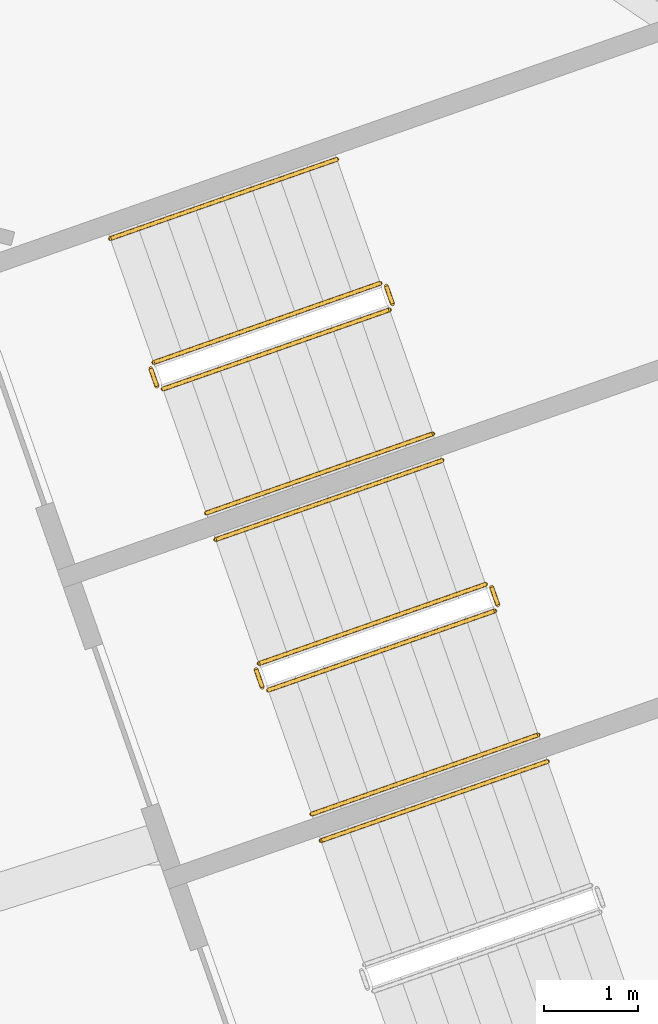
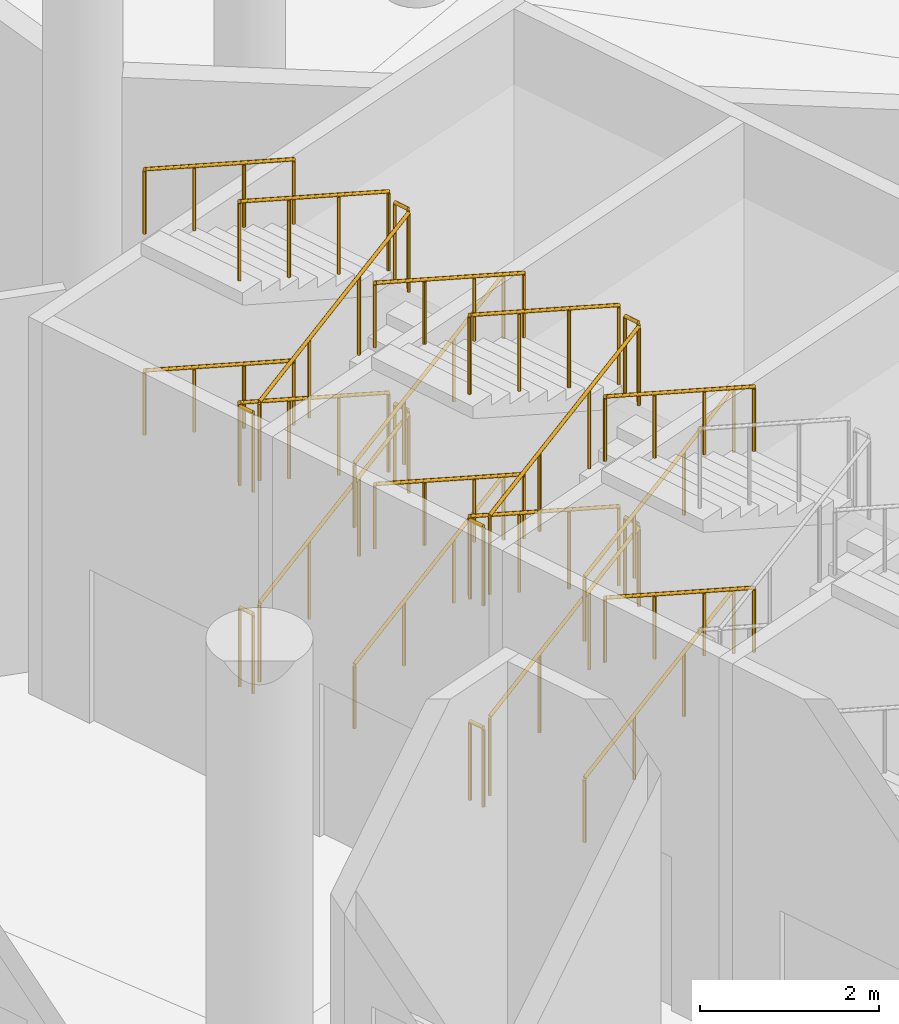
# One storey, part 265 of 271: 26 railings.
"""IFC4 building model written with IfcOpenShell, lengths in metres."""

import ifcopenshell
import ifcopenshell.guid

model = None  # the IFC model being written
_history = None  # IfcOwnerHistory: only IFC2X3 demands one
_inside = {}  # id of a spatial element -> (the spatial element, [elements in it])
_under = {}  # id of a project, library or spatial element -> (it, [spatial elements below it])
_declared = {}  # id of a project -> (the project, [libraries it declares])
_typed = {}  # id of a type object -> (the type object, [elements of that type])
_made_of = {}  # id of a material, layer set ... -> (it, [elements and type objects made of it])


def new_model(schema):
    """Start an empty IFC model of exactly this schema.

    Asked for "IFC4X3", IfcOpenShell would pick the latest addendum, in which some entities
    have other attributes; the version numbers below select the first issue.
    IFC2X3 requires an IfcOwnerHistory on every rooted entity: one is made here for all.
    """
    global model, _history
    if schema == "IFC4X3":
        model = ifcopenshell.file(schema_version=(4, 3, 0, 0))
    else:
        model = ifcopenshell.file(schema=schema)
    _inside.clear()
    _under.clear()
    _declared.clear()
    _typed.clear()
    _made_of.clear()
    _history = None
    if model.schema == "IFC2X3":
        org = make("IfcOrganization", Name="unknown")
        user = make(
            "IfcPersonAndOrganization",
            ThePerson=make("IfcPerson", FamilyName="unknown"),
            TheOrganization=org,
        )
        app = make(
            "IfcApplication",
            ApplicationDeveloper=org,
            Version="unknown",
            ApplicationFullName="unknown",
            ApplicationIdentifier="unknown",
        )
        _history = make(
            "IfcOwnerHistory",
            OwningUser=user,
            OwningApplication=app,
            ChangeAction="ADDED",
            CreationDate=0,
        )
    return model


def make(cls, **values):
    """One entity of the class cls with the attributes given. An attribute that is None is left unset."""
    return model.create_entity(
        cls, **{name: value for name, value in values.items() if value is not None}
    )


def rooted(cls, **values):
    """An entity with a GlobalId (a new one), such as an element, a storey or a relation."""
    return make(cls, GlobalId=ifcopenshell.guid.new(), OwnerHistory=_history, **values)


def si_unit(unit_type, name, prefix=None):
    """IfcSIUnit, for example si_unit("LENGTHUNIT", "METRE", prefix="MILLI")."""
    return make("IfcSIUnit", UnitType=unit_type, Prefix=prefix, Name=name)


def assignment(units):
    """IfcUnitAssignment: the units of a project."""
    return None if units is None else make("IfcUnitAssignment", Units=units)


def point(xyz):
    """IfcCartesianPoint."""
    return None if xyz is None else make("IfcCartesianPoint", Coordinates=xyz)


def direction(xyz):
    """IfcDirection."""
    return None if xyz is None else make("IfcDirection", DirectionRatios=xyz)


def frame(location, z_axis=None, x_axis=None):
    """IfcAxis2Placement3D, a coordinate frame: its origin and axes. An axis left out is left unset."""
    return make(
        "IfcAxis2Placement3D",
        Location=point(location),
        Axis=direction(z_axis),
        RefDirection=direction(x_axis),
    )


def frame_2d(location, x_axis=None):
    """IfcAxis2Placement2D, a coordinate frame in the plane: its origin and x axis."""
    return make(
        "IfcAxis2Placement2D", Location=point(location), RefDirection=direction(x_axis)
    )


def origin():
    """The frame at (0, 0, 0) with its axes left unset."""
    return frame((0.0, 0.0, 0.0))


def origin_2d():
    """The frame at (0, 0) in the plane with its x axis left unset."""
    return frame_2d((0.0, 0.0))


def place(relative_to, where):
    """IfcLocalPlacement: puts the frame where relative to a parent placement (None: the world)."""
    return make(
        "IfcLocalPlacement", PlacementRelTo=relative_to, RelativePlacement=where
    )


def context(
    kind, dimensions, precision=None, world=None, true_north=None, identifier=None
):
    """IfcGeometricRepresentationContext, for example the 3D "Model" context."""
    return make(
        "IfcGeometricRepresentationContext",
        ContextIdentifier=identifier,
        ContextType=kind,
        CoordinateSpaceDimension=dimensions,
        Precision=precision,
        WorldCoordinateSystem=world,
        TrueNorth=true_north,
    )


def subcontext(parent, identifier, kind, view, scale=None):
    """IfcGeometricRepresentationSubContext, for example "Body" below "Model"."""
    return make(
        "IfcGeometricRepresentationSubContext",
        ContextIdentifier=identifier,
        ContextType=kind,
        ParentContext=parent,
        TargetScale=scale,
        TargetView=view,
    )


def project(units=None, contexts=None):
    """IfcProject with its units and contexts."""
    return rooted(
        "IfcProject",
        Name="project",
        RepresentationContexts=contexts,
        UnitsInContext=assignment(units),
    )


def spatial(cls, under=None, at=None, **own):
    """A site, building, storey or space (cls), placed at a placement, below another one or the project."""
    s = rooted(cls, ObjectPlacement=at, **own)
    if under is not None:
        _under.setdefault(under.id(), (under, []))[1].append(s)
    return s


def profile(cls, at=None, kind="AREA", **sizes):
    """A parametric profile (cls). Its sizes go by their IFC names, for example OverallWidth=200.0."""
    return make(cls, ProfileType=kind, Position=at, **sizes)


def circle(**sizes):
    """IfcCircleProfileDef."""
    return profile("IfcCircleProfileDef", **sizes)


def extrude(swept, where, along, depth):
    """IfcExtrudedAreaSolid: the profile swept, set in the frame where, extruded along a direction by depth."""
    return make(
        "IfcExtrudedAreaSolid",
        SweptArea=swept,
        Position=where,
        ExtrudedDirection=direction(along),
        Depth=depth,
    )


def shape(context_of_items, identifier, shape_type, items):
    """IfcShapeRepresentation: the items that make up one representation, for example the "Body"."""
    return make(
        "IfcShapeRepresentation",
        ContextOfItems=context_of_items,
        RepresentationIdentifier=identifier,
        RepresentationType=shape_type,
        Items=items,
    )


def material(Name=None, Category=None):
    """IfcMaterial."""
    return make("IfcMaterial", Name=Name, Category=Category)


def made_of(thing, what):
    """Note that an element or type object is made of a material, layer set ...; save() writes the relation."""
    if what is not None:
        _made_of.setdefault(what.id(), (what, []))[1].append(thing)
    return thing


def type_object(cls, material=None, **own):
    """A type object (cls), such as IfcWallType, which elements share."""
    return made_of(rooted(cls, **own), material)


def element(
    cls,
    number,
    at=None,
    inside=None,
    cuts=None,
    type_object=None,
    material=None,
    context=None,
    identifier="Body",
    shape_type=None,
    held_by="IfcProductDefinitionShape",
    body=None,
    shapes=None,
    **own,
):
    """One element of the class cls, such as IfcWall. Its Tag is "e" and its number.

    at: its placement. inside: the storey or other place that contains it. cuts: it is an
    opening in that element (IfcRelVoidsElement). A single representation is given by context,
    identifier, shape_type and body (its items); several are given by shapes. held_by: the class
    of the entity that holds the representations. save() writes the other relations.
    """
    e = rooted(cls, Tag="e%d" % number, ObjectPlacement=at, **own)
    if body is not None:
        shapes = [shape(context, identifier, shape_type, body)]
    if shapes is not None:
        e.Representation = make(held_by, Representations=shapes)
    if inside is not None:
        _inside.setdefault(inside.id(), (inside, []))[1].append(e)
    if cuts is not None:
        rooted(
            "IfcRelVoidsElement", RelatingBuildingElement=cuts, RelatedOpeningElement=e
        )
    if type_object is not None:
        _typed.setdefault(type_object.id(), (type_object, []))[1].append(e)
    return made_of(e, material)


def aggregate(whole, parts):
    """IfcRelAggregates: a whole, such as a stair, and the parts it consists of."""
    return rooted("IfcRelAggregates", RelatingObject=whole, RelatedObjects=parts)


def save(model, path):
    """Write the relations noted so far, then the file.

    IfcRelAggregates (storeys below a building ...), IfcRelContainedInSpatialStructure (elements
    in a storey), IfcRelDefinesByType, IfcRelAssociatesMaterial and IfcRelDeclares: one each for
    every whole, place, type object, material and project.
    """
    for whole, parts in _under.values():
        aggregate(whole, parts)
    for where, things in _inside.values():
        rooted(
            "IfcRelContainedInSpatialStructure",
            RelatedElements=things,
            RelatingStructure=where,
        )
    for kind, things in _typed.values():
        rooted("IfcRelDefinesByType", RelatedObjects=things, RelatingType=kind)
    for what, things in _made_of.values():
        rooted("IfcRelAssociatesMaterial", RelatedObjects=things, RelatingMaterial=what)
    for by, libraries in _declared.values():
        rooted("IfcRelDeclares", RelatingContext=by, RelatedDefinitions=libraries)
    model.write(path)


model = new_model("IFC4")

# Units and contexts
model_context = context("Model", 3, precision=1e-05, world=origin(), true_north=direction((0.0, 1.0)))
body_context = subcontext(model_context, "Body", "Model", "MODEL_VIEW")
ifc_project = project(units=[si_unit("LENGTHUNIT", "METRE"), si_unit("AREAUNIT", "SQUARE_METRE"), si_unit("VOLUMEUNIT", "CUBIC_METRE"), si_unit("PLANEANGLEUNIT", "RADIAN"), si_unit("MASSUNIT", "GRAM", prefix="KILO")], contexts=[model_context])

# Site, building, storey
site_placement = place(None, origin())
site = spatial("IfcSite", under=ifc_project, at=site_placement, CompositionType="ELEMENT")
building_placement = place(site_placement, origin())
building = spatial("IfcBuilding", under=site, at=building_placement, Name="Meseta Stadium", CompositionType="ELEMENT")
storey_placement = place(building_placement, frame((0.0, 0.0, 6.5)))
storey = spatial("IfcBuildingStorey", under=building, at=storey_placement, Name="L01", CompositionType="ELEMENT", Elevation=6.5)

# Railings
ifc_material_1 = material(Name="Steel S355", Category="steel")
railing_type_1 = type_object("IfcRailingType", Name="Stair guard 1100", PredefinedType="GUARDRAIL", material=ifc_material_1)
railing_1_placement = place(storey_placement, frame((86.641357421875, 65.86328125, 0.15283203125)))
element("IfcRailing", 1, at=railing_1_placement, inside=storey, type_object=railing_type_1, Name="ST23 L01 guard 1", PredefinedType="GUARDRAIL", context=body_context, shape_type="SweptSolid", body=[
    extrude(circle(Radius=0.02392578125, at=origin_2d()), frame((0.0, 0.0, 1.076171875), z_axis=(0.851788628844, 0.298044258026, 0.430843071233), x_axis=(-0.330269708658, 0.943886603116, 0.0)), (0.0, 0.0, 1.0), 2.836669921875),
    extrude(circle(Radius=0.02099609375, at=origin_2d()), origin(), (0.0, 0.0, 1.0), 1.052001953125),
    extrude(circle(Radius=0.02099609375, at=origin_2d()), frame((0.805419921875, 0.28173828125, 0.407470703125)), (0.0, 0.0, 1.0), 1.052001953125),
    extrude(circle(Radius=0.02099609375, at=origin_2d()), frame((1.61083984375, 0.563720703125, 0.814697265625)), (0.0, 0.0, 1.0), 1.052001953125),
    extrude(circle(Radius=0.02099609375, at=origin_2d()), frame((2.416259765625, 0.845458984375, 1.22216796875)), (0.0, 0.0, 1.0), 1.052001953125),
])
railing_2_placement = place(storey_placement, frame((89.08837890625, 66.7724609375, 1.375)))
element("IfcRailing", 2, at=railing_2_placement, inside=storey, type_object=railing_type_1, Name="ST23 L01 guard 2", PredefinedType="GUARDRAIL", context=body_context, shape_type="SweptSolid", body=[
    extrude(circle(Radius=0.02392578125, at=origin_2d()), frame((0.0, 0.0, 1.076171875), z_axis=(-0.329751946816, 0.944067610699, 0.0), x_axis=(-0.944067610699, -0.329751946816, 0.0)), (0.0, 0.0, 1.0), 0.199951171875),
    extrude(circle(Radius=0.02099609375, at=origin_2d()), origin(), (0.0, 0.0, 1.0), 1.052001953125),
    extrude(circle(Radius=0.02099609375, at=origin_2d()), frame((-0.06591796875, 0.188720703125, 0.0)), (0.0, 0.0, 1.0), 1.052001953125),
])
railing_3_placement = place(storey_placement, frame((88.958740234375, 66.991943359375, 1.52783203125)))
element("IfcRailing", 3, at=railing_3_placement, inside=storey, type_object=railing_type_1, Name="ST23 L01 guard 3", PredefinedType="GUARDRAIL", context=body_context, shape_type="SweptSolid", body=[
    extrude(circle(Radius=0.02392578125, at=origin_2d()), frame((0.0, 0.0, 1.076171875), z_axis=(-0.851790398222, -0.298100822332, 0.430800437816), x_axis=(0.330324938801, -0.943867276054, 0.0)), (0.0, 0.0, 1.0), 2.8369140625),
    extrude(circle(Radius=0.02099609375, at=origin_2d()), origin(), (0.0, 0.0, 1.0), 1.052001953125),
    extrude(circle(Radius=0.02099609375, at=origin_2d()), frame((-0.805419921875, -0.281982421875, 0.407470703125)), (0.0, 0.0, 1.0), 1.052001953125),
    extrude(circle(Radius=0.02099609375, at=origin_2d()), frame((-1.611083984375, -0.563720703125, 0.814697265625)), (0.0, 0.0, 1.0), 1.052001953125),
    extrude(circle(Radius=0.02099609375, at=origin_2d()), frame((-2.41650390625, -0.845703125, 1.22216796875)), (0.0, 0.0, 1.0), 1.052001953125),
])
railing_4_placement = place(storey_placement, frame((86.57763671875, 65.893798828125, 2.75)))
element("IfcRailing", 4, at=railing_4_placement, inside=storey, type_object=railing_type_1, Name="ST23 L01 guard 4", PredefinedType="GUARDRAIL", context=body_context, shape_type="SweptSolid", body=[
    extrude(circle(Radius=0.02392578125, at=origin_2d()), frame((0.0, 0.0, 1.076171875), z_axis=(-0.329372156318, 0.944200181446, 0.0), x_axis=(-0.944200181446, -0.329372156318, 0.0)), (0.0, 0.0, 1.0), 0.2001953125),
    extrude(circle(Radius=0.02099609375, at=origin_2d()), origin(), (0.0, 0.0, 1.0), 1.052001953125),
    extrude(circle(Radius=0.02099609375, at=origin_2d()), frame((-0.06591796875, 0.18896484375, 0.0)), (0.0, 0.0, 1.0), 1.052001953125),
])
railing_5_placement = place(storey_placement, frame((86.641357421875, 65.86328125, 2.90283203125)))
element("IfcRailing", 5, at=railing_5_placement, inside=storey, type_object=railing_type_1, Name="ST23 L01 guard 5", PredefinedType="GUARDRAIL", context=body_context, shape_type="SweptSolid", body=[
    extrude(circle(Radius=0.02392578125, at=origin_2d()), frame((0.0, 0.0, 1.076171875), z_axis=(0.851788628844, 0.298044258026, 0.430843071233), x_axis=(-0.330269708658, 0.943886603116, 0.0)), (0.0, 0.0, 1.0), 2.836669921875),
    extrude(circle(Radius=0.02099609375, at=origin_2d()), origin(), (0.0, 0.0, 1.0), 1.052001953125),
    extrude(circle(Radius=0.02099609375, at=origin_2d()), frame((0.805419921875, 0.28173828125, 0.407470703125)), (0.0, 0.0, 1.0), 1.052001953125),
    extrude(circle(Radius=0.02099609375, at=origin_2d()), frame((1.61083984375, 0.563720703125, 0.814697265625)), (0.0, 0.0, 1.0), 1.052001953125),
    extrude(circle(Radius=0.02099609375, at=origin_2d()), frame((2.416259765625, 0.845458984375, 1.22216796875)), (0.0, 0.0, 1.0), 1.052001953125),
])
railing_6_placement = place(storey_placement, frame((89.08837890625, 66.7724609375, 4.125)))
element("IfcRailing", 6, at=railing_6_placement, inside=storey, type_object=railing_type_1, Name="ST23 L01 guard 6", PredefinedType="GUARDRAIL", context=body_context, shape_type="SweptSolid", body=[
    extrude(circle(Radius=0.02392578125, at=origin_2d()), frame((0.0, 0.0, 1.076171875), z_axis=(-0.329751946816, 0.944067610699, 0.0), x_axis=(-0.944067610699, -0.329751946816, 0.0)), (0.0, 0.0, 1.0), 0.199951171875),
    extrude(circle(Radius=0.02099609375, at=origin_2d()), origin(), (0.0, 0.0, 1.0), 1.052001953125),
    extrude(circle(Radius=0.02099609375, at=origin_2d()), frame((-0.06591796875, 0.188720703125, 0.0)), (0.0, 0.0, 1.0), 1.052001953125),
])
railing_7_placement = place(storey_placement, frame((88.958740234375, 66.991943359375, 4.27783203125)))
element("IfcRailing", 7, at=railing_7_placement, inside=storey, type_object=railing_type_1, Name="ST23 L01 guard 7", PredefinedType="GUARDRAIL", context=body_context, shape_type="SweptSolid", body=[
    extrude(circle(Radius=0.02392578125, at=origin_2d()), frame((0.0, 0.0, 1.076171875), z_axis=(-0.851790398222, -0.298100822332, 0.430800437816), x_axis=(0.330324938801, -0.943867276054, 0.0)), (0.0, 0.0, 1.0), 2.8369140625),
    extrude(circle(Radius=0.02099609375, at=origin_2d()), origin(), (0.0, 0.0, 1.0), 1.052001953125),
    extrude(circle(Radius=0.02099609375, at=origin_2d()), frame((-0.805419921875, -0.281982421875, 0.407470703125)), (0.0, 0.0, 1.0), 1.052001953125),
    extrude(circle(Radius=0.02099609375, at=origin_2d()), frame((-1.611083984375, -0.563720703125, 0.814697265625)), (0.0, 0.0, 1.0), 1.052001953125),
    extrude(circle(Radius=0.02099609375, at=origin_2d()), frame((-2.41650390625, -0.845703125, 1.22216796875)), (0.0, 0.0, 1.0), 1.052001953125),
])
railing_8_placement = place(storey_placement, frame((86.57763671875, 65.893798828125, 0.0)))
element("IfcRailing", 8, at=railing_8_placement, inside=storey, type_object=railing_type_1, Name="ST23 L01 guard 8", PredefinedType="GUARDRAIL", context=body_context, shape_type="SweptSolid", body=[
    extrude(circle(Radius=0.02392578125, at=origin_2d()), frame((0.0, 0.0, 1.076171875), z_axis=(-0.329372156318, 0.944200181446, 0.0), x_axis=(-0.944200181446, -0.329372156318, 0.0)), (0.0, 0.0, 1.0), 0.2001953125),
    extrude(circle(Radius=0.02099609375, at=origin_2d()), origin(), (0.0, 0.0, 1.0), 1.052001953125),
    extrude(circle(Radius=0.02099609375, at=origin_2d()), frame((-0.06591796875, 0.18896484375, 0.0)), (0.0, 0.0, 1.0), 1.052001953125),
])
railing_9_placement = place(storey_placement, frame((85.518310546875, 69.072509765625, 0.15283203125)))
element("IfcRailing", 9, at=railing_9_placement, inside=storey, type_object=railing_type_1, Name="ST24 L01 guard 1", PredefinedType="GUARDRAIL", context=body_context, shape_type="SweptSolid", body=[
    extrude(circle(Radius=0.02392578125, at=origin_2d()), frame((0.0, 0.0, 1.076171875), z_axis=(0.851812247406, 0.298022409857, 0.430811488231), x_axis=(-0.330239980492, 0.943897004595, 0.0)), (0.0, 0.0, 1.0), 2.8369140625),
    extrude(circle(Radius=0.02099609375, at=origin_2d()), origin(), (0.0, 0.0, 1.0), 1.052001953125),
    extrude(circle(Radius=0.02099609375, at=origin_2d()), frame((0.805419921875, 0.28173828125, 0.407470703125)), (0.0, 0.0, 1.0), 1.052001953125),
    extrude(circle(Radius=0.02099609375, at=origin_2d()), frame((1.611083984375, 0.563720703125, 0.814697265625)), (0.0, 0.0, 1.0), 1.052001953125),
    extrude(circle(Radius=0.02099609375, at=origin_2d()), frame((2.41650390625, 0.845458984375, 1.22216796875)), (0.0, 0.0, 1.0), 1.052001953125),
])
railing_10_placement = place(storey_placement, frame((87.96533203125, 69.981689453125, 1.375)))
element("IfcRailing", 10, at=railing_10_placement, inside=storey, type_object=railing_type_1, Name="ST24 L01 guard 2", PredefinedType="GUARDRAIL", context=body_context, shape_type="SweptSolid", body=[
    extrude(circle(Radius=0.02392578125, at=origin_2d()), frame((0.0, 0.0, 1.076171875), z_axis=(-0.329751946816, 0.944067610699, 0.0), x_axis=(-0.944067610699, -0.329751946816, 0.0)), (0.0, 0.0, 1.0), 0.199951171875),
    extrude(circle(Radius=0.02099609375, at=origin_2d()), origin(), (0.0, 0.0, 1.0), 1.052001953125),
    extrude(circle(Radius=0.02099609375, at=origin_2d()), frame((-0.06591796875, 0.188720703125, 0.0)), (0.0, 0.0, 1.0), 1.052001953125),
])
railing_11_placement = place(storey_placement, frame((87.835693359375, 70.201171875, 1.52783203125)))
element("IfcRailing", 11, at=railing_11_placement, inside=storey, type_object=railing_type_1, Name="ST24 L01 guard 3", PredefinedType="GUARDRAIL", context=body_context, shape_type="SweptSolid", body=[
    extrude(circle(Radius=0.02392578125, at=origin_2d()), frame((0.0, 0.0, 1.076171875), z_axis=(-0.851766777062, -0.298122675128, 0.430832018387), x_axis=(0.330354672742, -0.943856869551, 0.0)), (0.0, 0.0, 1.0), 2.836669921875),
    extrude(circle(Radius=0.02099609375, at=origin_2d()), origin(), (0.0, 0.0, 1.0), 1.052001953125),
    extrude(circle(Radius=0.02099609375, at=origin_2d()), frame((-0.805419921875, -0.281982421875, 0.407470703125)), (0.0, 0.0, 1.0), 1.052001953125),
    extrude(circle(Radius=0.02099609375, at=origin_2d()), frame((-1.61083984375, -0.563720703125, 0.814697265625)), (0.0, 0.0, 1.0), 1.052001953125),
    extrude(circle(Radius=0.02099609375, at=origin_2d()), frame((-2.416259765625, -0.845703125, 1.22216796875)), (0.0, 0.0, 1.0), 1.052001953125),
])
railing_12_placement = place(storey_placement, frame((85.454833984375, 69.10302734375, 2.75)))
element("IfcRailing", 12, at=railing_12_placement, inside=storey, type_object=railing_type_1, Name="ST24 L01 guard 4", PredefinedType="GUARDRAIL", context=body_context, shape_type="SweptSolid", body=[
    extrude(circle(Radius=0.02392578125, at=origin_2d()), frame((0.0, 0.0, 1.076171875), z_axis=(-0.330839792317, 0.943686935281, 0.0), x_axis=(-0.943686935281, -0.330839792317, 0.0)), (0.0, 0.0, 1.0), 0.199951171875),
    extrude(circle(Radius=0.02099609375, at=origin_2d()), origin(), (0.0, 0.0, 1.0), 1.052001953125),
    extrude(circle(Radius=0.02099609375, at=origin_2d()), frame((-0.066162109375, 0.188720703125, 0.0)), (0.0, 0.0, 1.0), 1.052001953125),
])
railing_13_placement = place(storey_placement, frame((85.518310546875, 69.072509765625, 2.90283203125)))
element("IfcRailing", 13, at=railing_13_placement, inside=storey, type_object=railing_type_1, Name="ST24 L01 guard 5", PredefinedType="GUARDRAIL", context=body_context, shape_type="SweptSolid", body=[
    extrude(circle(Radius=0.02392578125, at=origin_2d()), frame((0.0, 0.0, 1.076171875), z_axis=(0.851812247406, 0.298022409857, 0.430811488231), x_axis=(-0.330239980492, 0.943897004595, 0.0)), (0.0, 0.0, 1.0), 2.8369140625),
    extrude(circle(Radius=0.02099609375, at=origin_2d()), origin(), (0.0, 0.0, 1.0), 1.052001953125),
    extrude(circle(Radius=0.02099609375, at=origin_2d()), frame((0.805419921875, 0.28173828125, 0.407470703125)), (0.0, 0.0, 1.0), 1.052001953125),
    extrude(circle(Radius=0.02099609375, at=origin_2d()), frame((1.611083984375, 0.563720703125, 0.814697265625)), (0.0, 0.0, 1.0), 1.052001953125),
    extrude(circle(Radius=0.02099609375, at=origin_2d()), frame((2.41650390625, 0.845458984375, 1.22216796875)), (0.0, 0.0, 1.0), 1.052001953125),
])
railing_14_placement = place(storey_placement, frame((87.96533203125, 69.981689453125, 4.125)))
element("IfcRailing", 14, at=railing_14_placement, inside=storey, type_object=railing_type_1, Name="ST24 L01 guard 6", PredefinedType="GUARDRAIL", context=body_context, shape_type="SweptSolid", body=[
    extrude(circle(Radius=0.02392578125, at=origin_2d()), frame((0.0, 0.0, 1.076171875), z_axis=(-0.329751946816, 0.944067610699, 0.0), x_axis=(-0.944067610699, -0.329751946816, 0.0)), (0.0, 0.0, 1.0), 0.199951171875),
    extrude(circle(Radius=0.02099609375, at=origin_2d()), origin(), (0.0, 0.0, 1.0), 1.052001953125),
    extrude(circle(Radius=0.02099609375, at=origin_2d()), frame((-0.06591796875, 0.188720703125, 0.0)), (0.0, 0.0, 1.0), 1.052001953125),
])
railing_15_placement = place(storey_placement, frame((87.835693359375, 70.201171875, 4.27783203125)))
element("IfcRailing", 15, at=railing_15_placement, inside=storey, type_object=railing_type_1, Name="ST24 L01 guard 7", PredefinedType="GUARDRAIL", context=body_context, shape_type="SweptSolid", body=[
    extrude(circle(Radius=0.02392578125, at=origin_2d()), frame((0.0, 0.0, 1.076171875), z_axis=(-0.851766777062, -0.298122675128, 0.430832018387), x_axis=(0.330354672742, -0.943856869551, 0.0)), (0.0, 0.0, 1.0), 2.836669921875),
    extrude(circle(Radius=0.02099609375, at=origin_2d()), origin(), (0.0, 0.0, 1.0), 1.052001953125),
    extrude(circle(Radius=0.02099609375, at=origin_2d()), frame((-0.805419921875, -0.281982421875, 0.407470703125)), (0.0, 0.0, 1.0), 1.052001953125),
    extrude(circle(Radius=0.02099609375, at=origin_2d()), frame((-1.61083984375, -0.563720703125, 0.814697265625)), (0.0, 0.0, 1.0), 1.052001953125),
    extrude(circle(Radius=0.02099609375, at=origin_2d()), frame((-2.416259765625, -0.845703125, 1.22216796875)), (0.0, 0.0, 1.0), 1.052001953125),
])
railing_16_placement = place(storey_placement, frame((85.454833984375, 69.10302734375, 0.0)))
element("IfcRailing", 16, at=railing_16_placement, inside=storey, type_object=railing_type_1, Name="ST24 L01 guard 8", PredefinedType="GUARDRAIL", context=body_context, shape_type="SweptSolid", body=[
    extrude(circle(Radius=0.02392578125, at=origin_2d()), frame((0.0, 0.0, 1.076171875), z_axis=(-0.330839792317, 0.943686935281, 0.0), x_axis=(-0.943686935281, -0.330839792317, 0.0)), (0.0, 0.0, 1.0), 0.199951171875),
    extrude(circle(Radius=0.02099609375, at=origin_2d()), origin(), (0.0, 0.0, 1.0), 1.052001953125),
    extrude(circle(Radius=0.02099609375, at=origin_2d()), frame((-0.066162109375, 0.188720703125, 0.0)), (0.0, 0.0, 1.0), 1.052001953125),
])
ifc_material_2 = material(Name="Steel S355", Category="steel")
railing_type_2 = type_object("IfcRailingType", Name="Stair handrail 900", PredefinedType="HANDRAIL", material=ifc_material_2)
for number, where, name in (
    (17, (89.619140625, 65.10400390625, 1.52783203125), "ST22 L01 handrail 2"),
    (18, (89.619140625, 65.10400390625, 4.27783203125), "ST22 L01 handrail 4"),
):
    element("IfcRailing", number, at=place(storey_placement, frame(where)), inside=storey, type_object=railing_type_2, Name=name, PredefinedType="HANDRAIL", context=body_context, shape_type="SweptSolid", body=[
        extrude(circle(Radius=0.02392578125, at=origin_2d()), frame((0.0, 0.0, 0.8759765625), z_axis=(-0.851788628844, -0.298044258026, 0.430843071233), x_axis=(0.330269708658, -0.943886603116, 0.0)), (0.0, 0.0, 1.0), 2.836669921875),
        extrude(circle(Radius=0.02099609375, at=origin_2d()), origin(), (0.0, 0.0, 1.0), 0.851806640625),
        extrude(circle(Radius=0.02099609375, at=origin_2d()), frame((-0.805419921875, -0.28173828125, 0.407470703125)), (0.0, 0.0, 1.0), 0.851806640625),
        extrude(circle(Radius=0.02099609375, at=origin_2d()), frame((-1.61083984375, -0.563720703125, 0.814697265625)), (0.0, 0.0, 1.0), 0.851806640625),
        extrude(circle(Radius=0.02099609375, at=origin_2d()), frame((-2.416259765625, -0.845458984375, 1.22216796875)), (0.0, 0.0, 1.0), 0.851806640625),
    ])
railing_17_placement = place(storey_placement, frame((87.103759765625, 64.541748046875, 0.15283203125)))
element("IfcRailing", 19, at=railing_17_placement, inside=storey, type_object=railing_type_2, Name="ST23 L01 handrail 1", PredefinedType="HANDRAIL", context=body_context, shape_type="SweptSolid", body=[
    extrude(circle(Radius=0.02392578125, at=origin_2d()), frame((0.0, 0.0, 0.8759765625), z_axis=(0.851788628844, 0.298044258026, 0.430843071233), x_axis=(-0.330269708658, 0.943886603116, 0.0)), (0.0, 0.0, 1.0), 2.836669921875),
    extrude(circle(Radius=0.02099609375, at=origin_2d()), origin(), (0.0, 0.0, 1.0), 0.851806640625),
    extrude(circle(Radius=0.02099609375, at=origin_2d()), frame((0.805419921875, 0.28173828125, 0.407470703125)), (0.0, 0.0, 1.0), 0.851806640625),
    extrude(circle(Radius=0.02099609375, at=origin_2d()), frame((1.61083984375, 0.563720703125, 0.814697265625)), (0.0, 0.0, 1.0), 0.851806640625),
    extrude(circle(Radius=0.02099609375, at=origin_2d()), frame((2.416259765625, 0.845458984375, 1.22216796875)), (0.0, 0.0, 1.0), 0.851806640625),
])
railing_18_placement = place(storey_placement, frame((88.496337890625, 68.313232421875, 1.52783203125)))
element("IfcRailing", 20, at=railing_18_placement, inside=storey, type_object=railing_type_2, Name="ST23 L01 handrail 2", PredefinedType="HANDRAIL", context=body_context, shape_type="SweptSolid", body=[
    extrude(circle(Radius=0.02392578125, at=origin_2d()), frame((0.0, 0.0, 0.8759765625), z_axis=(-0.851812247406, -0.298022409857, 0.430811488231), x_axis=(0.330239980492, -0.943897004595, 0.0)), (0.0, 0.0, 1.0), 2.8369140625),
    extrude(circle(Radius=0.02099609375, at=origin_2d()), origin(), (0.0, 0.0, 1.0), 0.851806640625),
    extrude(circle(Radius=0.02099609375, at=origin_2d()), frame((-0.805419921875, -0.28173828125, 0.407470703125)), (0.0, 0.0, 1.0), 0.851806640625),
    extrude(circle(Radius=0.02099609375, at=origin_2d()), frame((-1.611083984375, -0.563720703125, 0.814697265625)), (0.0, 0.0, 1.0), 0.851806640625),
    extrude(circle(Radius=0.02099609375, at=origin_2d()), frame((-2.41650390625, -0.845458984375, 1.22216796875)), (0.0, 0.0, 1.0), 0.851806640625),
])
railing_19_placement = place(storey_placement, frame((87.103759765625, 64.541748046875, 2.90283203125)))
element("IfcRailing", 21, at=railing_19_placement, inside=storey, type_object=railing_type_2, Name="ST23 L01 handrail 3", PredefinedType="HANDRAIL", context=body_context, shape_type="SweptSolid", body=[
    extrude(circle(Radius=0.02392578125, at=origin_2d()), frame((0.0, 0.0, 0.8759765625), z_axis=(0.851788628844, 0.298044258026, 0.430843071233), x_axis=(-0.330269708658, 0.943886603116, 0.0)), (0.0, 0.0, 1.0), 2.836669921875),
    extrude(circle(Radius=0.02099609375, at=origin_2d()), origin(), (0.0, 0.0, 1.0), 0.851806640625),
    extrude(circle(Radius=0.02099609375, at=origin_2d()), frame((0.805419921875, 0.28173828125, 0.407470703125)), (0.0, 0.0, 1.0), 0.851806640625),
    extrude(circle(Radius=0.02099609375, at=origin_2d()), frame((1.61083984375, 0.563720703125, 0.814697265625)), (0.0, 0.0, 1.0), 0.851806640625),
    extrude(circle(Radius=0.02099609375, at=origin_2d()), frame((2.416259765625, 0.845458984375, 1.22216796875)), (0.0, 0.0, 1.0), 0.851806640625),
])
railing_20_placement = place(storey_placement, frame((88.496337890625, 68.313232421875, 4.27783203125)))
element("IfcRailing", 22, at=railing_20_placement, inside=storey, type_object=railing_type_2, Name="ST23 L01 handrail 4", PredefinedType="HANDRAIL", context=body_context, shape_type="SweptSolid", body=[
    extrude(circle(Radius=0.02392578125, at=origin_2d()), frame((0.0, 0.0, 0.8759765625), z_axis=(-0.851812247406, -0.298022409857, 0.430811488231), x_axis=(0.330239980492, -0.943897004595, 0.0)), (0.0, 0.0, 1.0), 2.8369140625),
    extrude(circle(Radius=0.02099609375, at=origin_2d()), origin(), (0.0, 0.0, 1.0), 0.851806640625),
    extrude(circle(Radius=0.02099609375, at=origin_2d()), frame((-0.805419921875, -0.28173828125, 0.407470703125)), (0.0, 0.0, 1.0), 0.851806640625),
    extrude(circle(Radius=0.02099609375, at=origin_2d()), frame((-1.611083984375, -0.563720703125, 0.814697265625)), (0.0, 0.0, 1.0), 0.851806640625),
    extrude(circle(Radius=0.02099609375, at=origin_2d()), frame((-2.41650390625, -0.845458984375, 1.22216796875)), (0.0, 0.0, 1.0), 0.851806640625),
])
railing_21_placement = place(storey_placement, frame((85.980712890625, 67.7509765625, 0.15283203125)))
element("IfcRailing", 23, at=railing_21_placement, inside=storey, type_object=railing_type_2, Name="ST24 L01 handrail 1", PredefinedType="HANDRAIL", context=body_context, shape_type="SweptSolid", body=[
    extrude(circle(Radius=0.02392578125, at=origin_2d()), frame((0.0, 0.0, 0.8759765625), z_axis=(0.851812247406, 0.298022409857, 0.430811488231), x_axis=(-0.330239980492, 0.943897004595, 0.0)), (0.0, 0.0, 1.0), 2.8369140625),
    extrude(circle(Radius=0.02099609375, at=origin_2d()), origin(), (0.0, 0.0, 1.0), 0.851806640625),
    extrude(circle(Radius=0.02099609375, at=origin_2d()), frame((0.805419921875, 0.28173828125, 0.407470703125)), (0.0, 0.0, 1.0), 0.851806640625),
    extrude(circle(Radius=0.02099609375, at=origin_2d()), frame((1.611083984375, 0.563720703125, 0.814697265625)), (0.0, 0.0, 1.0), 0.851806640625),
    extrude(circle(Radius=0.02099609375, at=origin_2d()), frame((2.41650390625, 0.845458984375, 1.22216796875)), (0.0, 0.0, 1.0), 0.851806640625),
])
railing_22_placement = place(storey_placement, frame((87.373291015625, 71.5224609375, 1.52783203125)))
element("IfcRailing", 24, at=railing_22_placement, inside=storey, type_object=railing_type_2, Name="ST24 L01 handrail 2", PredefinedType="HANDRAIL", context=body_context, shape_type="SweptSolid", body=[
    extrude(circle(Radius=0.02392578125, at=origin_2d()), frame((0.0, 0.0, 0.8759765625), z_axis=(-0.851788628844, -0.298044258026, 0.430843071233), x_axis=(0.330269708658, -0.943886603116, 0.0)), (0.0, 0.0, 1.0), 2.836669921875),
    extrude(circle(Radius=0.02099609375, at=origin_2d()), origin(), (0.0, 0.0, 1.0), 0.851806640625),
    extrude(circle(Radius=0.02099609375, at=origin_2d()), frame((-0.805419921875, -0.28173828125, 0.407470703125)), (0.0, 0.0, 1.0), 0.851806640625),
    extrude(circle(Radius=0.02099609375, at=origin_2d()), frame((-1.61083984375, -0.563720703125, 0.814697265625)), (0.0, 0.0, 1.0), 0.851806640625),
    extrude(circle(Radius=0.02099609375, at=origin_2d()), frame((-2.416259765625, -0.845458984375, 1.22216796875)), (0.0, 0.0, 1.0), 0.851806640625),
])
railing_23_placement = place(storey_placement, frame((85.980712890625, 67.7509765625, 2.90283203125)))
element("IfcRailing", 25, at=railing_23_placement, inside=storey, type_object=railing_type_2, Name="ST24 L01 handrail 3", PredefinedType="HANDRAIL", context=body_context, shape_type="SweptSolid", body=[
    extrude(circle(Radius=0.02392578125, at=origin_2d()), frame((0.0, 0.0, 0.8759765625), z_axis=(0.851812247406, 0.298022409857, 0.430811488231), x_axis=(-0.330239980492, 0.943897004595, 0.0)), (0.0, 0.0, 1.0), 2.8369140625),
    extrude(circle(Radius=0.02099609375, at=origin_2d()), origin(), (0.0, 0.0, 1.0), 0.851806640625),
    extrude(circle(Radius=0.02099609375, at=origin_2d()), frame((0.805419921875, 0.28173828125, 0.407470703125)), (0.0, 0.0, 1.0), 0.851806640625),
    extrude(circle(Radius=0.02099609375, at=origin_2d()), frame((1.611083984375, 0.563720703125, 0.814697265625)), (0.0, 0.0, 1.0), 0.851806640625),
    extrude(circle(Radius=0.02099609375, at=origin_2d()), frame((2.41650390625, 0.845458984375, 1.22216796875)), (0.0, 0.0, 1.0), 0.851806640625),
])
railing_24_placement = place(storey_placement, frame((87.373291015625, 71.5224609375, 4.27783203125)))
element("IfcRailing", 26, at=railing_24_placement, inside=storey, type_object=railing_type_2, Name="ST24 L01 handrail 4", PredefinedType="HANDRAIL", context=body_context, shape_type="SweptSolid", body=[
    extrude(circle(Radius=0.02392578125, at=origin_2d()), frame((0.0, 0.0, 0.8759765625), z_axis=(-0.851788628844, -0.298044258026, 0.430843071233), x_axis=(0.330269708658, -0.943886603116, 0.0)), (0.0, 0.0, 1.0), 2.836669921875),
    extrude(circle(Radius=0.02099609375, at=origin_2d()), origin(), (0.0, 0.0, 1.0), 0.851806640625),
    extrude(circle(Radius=0.02099609375, at=origin_2d()), frame((-0.805419921875, -0.28173828125, 0.407470703125)), (0.0, 0.0, 1.0), 0.851806640625),
    extrude(circle(Radius=0.02099609375, at=origin_2d()), frame((-1.61083984375, -0.563720703125, 0.814697265625)), (0.0, 0.0, 1.0), 0.851806640625),
    extrude(circle(Radius=0.02099609375, at=origin_2d()), frame((-2.416259765625, -0.845458984375, 1.22216796875)), (0.0, 0.0, 1.0), 0.851806640625),
])

save(model, "model.ifc")
